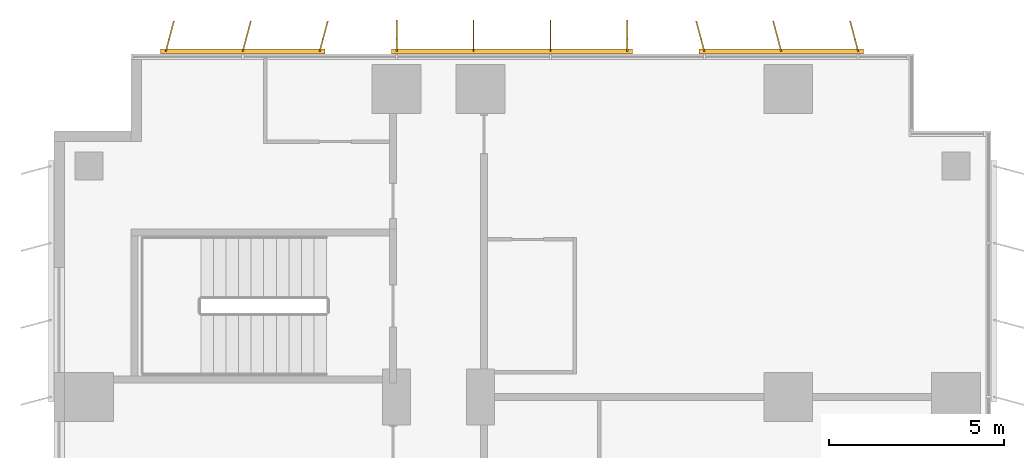
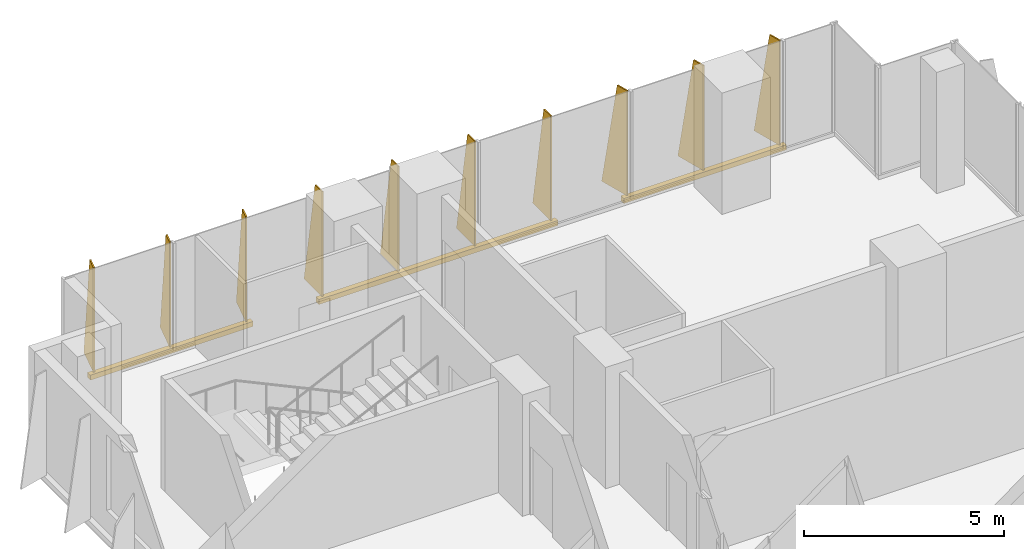
# One storey, part 24 of 24: 3 shading devices.
"""IFC4 building model written with IfcOpenShell, lengths in metres."""

from ifc_helpers import new_model, si_unit, direction, frame, origin, origin_2d, place, context, subcontext, project, spatial, polyline, rectangle, outline, extrude, source, transform, mapped, material, layer, layer_set, type_object, element, save


model = new_model("IFC4")

# Units and contexts
model_context = context("Model", 3, precision=1e-05, world=origin(), true_north=direction((0.0, 1.0)))
body_context = subcontext(model_context, "Body", "Model", "MODEL_VIEW")
ifc_project = project(units=[si_unit("LENGTHUNIT", "METRE"), si_unit("AREAUNIT", "SQUARE_METRE"), si_unit("VOLUMEUNIT", "CUBIC_METRE"), si_unit("PLANEANGLEUNIT", "RADIAN"), si_unit("MASSUNIT", "GRAM", prefix="KILO")], contexts=[model_context])

# Site, building, storey
site_placement = place(None, origin())
site = spatial("IfcSite", under=ifc_project, at=site_placement, CompositionType="ELEMENT")
building_placement = place(site_placement, origin())
building = spatial("IfcBuilding", under=site, at=building_placement, Name="Kemantara Hotel Tower", CompositionType="ELEMENT")
storey_placement = place(building_placement, frame((0.0, 0.0, 56.199951171875)))
storey = spatial("IfcBuildingStorey", under=building, at=storey_placement, Name="L12", CompositionType="ELEMENT", Elevation=56.199951171875)

# Shading devices
ifc_material = material(Name="Perforated aluminium plate 4 mm bronze anodised", Category="aluminium")
ifc_layer_1 = layer(ifc_material, 0.0400390625)
ifc_layer_set_1 = layer_set([ifc_layer_1], Name="Perforated aluminium plate 4 mm bronze anodised")
shading_device_type_1 = type_object("IfcShadingDeviceType", Name="SCREEN FIN CASSETTE, 3 BLADES AT -15.0 DEG, 3200 HIGH", PredefinedType="USERDEFINED", material=ifc_layer_set_1)
shared_shape_1 = source(origin(), body_context, "Body", "SweptSolid", [
    extrude(rectangle(XDim=4.699951171875, YDim=0.14990234375, at=origin_2d()), frame((2.199951171875, -0.074951171875, -0.14990234375), z_axis=(0.0, 0.0, 1.0), x_axis=(1.0, 0.0, 0.0)), (0.0, 0.0, 1.0), 0.14990234375),
    extrude(outline(polyline([(0.0, 0.0), (0.89990234375, 0.0), (0.35009765625, 3.199951171875), (0.0, 3.199951171875), (0.0, 0.0)])), frame((0.019287109375, -0.080078125, 0.0), z_axis=(-0.966437683387, 0.256901156343, 0.0), x_axis=(-0.256901156343, -0.966437683387, 0.0)), (0.0, 0.0, 1.0), 0.039794921875),
    extrude(outline(polyline([(0.0, 0.0), (0.89990234375, 0.0), (0.35009765625, 3.199951171875), (0.0, 3.199951171875), (0.0, 0.0)])), frame((2.21923828125, -0.080078125, 0.0), z_axis=(-0.966437683387, 0.256901156343, 0.0), x_axis=(-0.256901156343, -0.966437683387, 0.0)), (0.0, 0.0, 1.0), 0.039794921875),
    extrude(outline(polyline([(0.0, 0.0), (0.89990234375, 0.0), (0.35009765625, 3.199951171875), (0.0, 3.199951171875), (0.0, 0.0)])), frame((4.41943359375, -0.080078125, 0.0), z_axis=(-0.966837822169, 0.255391122837, 0.0), x_axis=(-0.255391122837, -0.966837822169, 0.0)), (0.0, 0.0, 1.0), 0.0400390625),
])
shading_device_1_placement = place(storey_placement, frame((7.60009765625, 81.199951171875, 0.10009765625), z_axis=(0.0, 0.0, 1.0), x_axis=(-1.0, 0.0, 0.0)))
element("IfcShadingDevice", 1, at=shading_device_1_placement, inside=storey, type_object=shading_device_type_1, Name="SCREEN FIN CASSETTE L12 T1-R11-3", ObjectType="SCREEN FIN", PredefinedType="USERDEFINED", context=body_context, shape_type="MappedRepresentation", body=[
    mapped(shared_shape_1, transform((0.0, 0.0, 0.0))),
])
ifc_layer_2 = layer(ifc_material, 0.0400390625)
ifc_layer_set_2 = layer_set([ifc_layer_2], Name="Perforated aluminium plate 4 mm bronze anodised")
shading_device_type_2 = type_object("IfcShadingDeviceType", Name="SCREEN FIN CASSETTE, 4 BLADES AT +0.0 DEG, 3200 HIGH", PredefinedType="USERDEFINED", material=ifc_layer_set_2)
shared_shape_2 = source(origin(), body_context, "Body", "SweptSolid", [
    extrude(rectangle(XDim=6.89990234375, YDim=0.14990234375, at=origin_2d()), frame((3.300048828125, -0.074951171875, -0.14990234375), z_axis=(0.0, 0.0, 1.0), x_axis=(1.0, 0.0, 0.0)), (0.0, 0.0, 1.0), 0.14990234375),
    extrude(outline(polyline([(0.0, 0.0), (0.89990234375, 0.0), (0.35009765625, 3.199951171875), (0.0, 3.199951171875), (0.0, 0.0)])), frame((0.02001953125, -0.074951171875, 0.0), z_axis=(-1.0, 0.0, 0.0), x_axis=(0.0, -1.0, 0.0)), (0.0, 0.0, 1.0), 0.0400390625),
    extrude(outline(polyline([(0.0, 0.0), (0.89990234375, 0.0), (0.35009765625, 3.199951171875), (0.0, 3.199951171875), (0.0, 0.0)])), frame((2.219970703125, -0.074951171875, 0.0), z_axis=(-1.0, 0.0, 0.0), x_axis=(0.0, -1.0, 0.0)), (0.0, 0.0, 1.0), 0.0400390625),
    extrude(outline(polyline([(0.0, 0.0), (0.89990234375, 0.0), (0.35009765625, 3.199951171875), (0.0, 3.199951171875), (0.0, 0.0)])), frame((4.419921875, -0.074951171875, 0.0), z_axis=(-1.0, 0.0, 0.0), x_axis=(0.0, -1.0, 0.0)), (0.0, 0.0, 1.0), 0.0400390625),
    extrude(outline(polyline([(0.0, 0.0), (0.89990234375, 0.0), (0.35009765625, 3.199951171875), (0.0, 3.199951171875), (0.0, 0.0)])), frame((6.6201171875, -0.074951171875, 0.0), z_axis=(-1.0, 0.0, 0.0), x_axis=(0.0, -1.0, 0.0)), (0.0, 0.0, 1.0), 0.0400390625),
])
shading_device_2_placement = place(storey_placement, frame((16.39990234375, 81.199951171875, 0.10009765625), z_axis=(0.0, 0.0, 1.0), x_axis=(-1.0, 0.0, 0.0)))
element("IfcShadingDevice", 2, at=shading_device_2_placement, inside=storey, type_object=shading_device_type_2, Name="SCREEN FIN CASSETTE L12 T1-R11-2", ObjectType="SCREEN FIN", PredefinedType="USERDEFINED", context=body_context, shape_type="MappedRepresentation", body=[
    mapped(shared_shape_2, transform((0.0, 0.0, 0.0))),
])
ifc_layer_3 = layer(ifc_material, 0.0400390625)
ifc_layer_set_3 = layer_set([ifc_layer_3], Name="Perforated aluminium plate 4 mm bronze anodised")
shading_device_type_3 = type_object("IfcShadingDeviceType", Name="SCREEN FIN CASSETTE, 3 BLADES AT +15.0 DEG, 3200 HIGH", PredefinedType="USERDEFINED", material=ifc_layer_set_3)
shared_shape_3 = source(origin(), body_context, "Body", "SweptSolid", [
    extrude(rectangle(XDim=4.699951171875, YDim=0.14990234375, at=origin_2d()), frame((2.199951171875, -0.074951171875, -0.14990234375), z_axis=(0.0, 0.0, 1.0), x_axis=(1.0, 0.0, 0.0)), (0.0, 0.0, 1.0), 0.14990234375),
    extrude(outline(polyline([(0.0, 0.0), (0.89990234375, 0.0), (0.35009765625, 3.199951171875), (0.0, 3.199951171875), (0.0, 0.0)])), frame((0.019287109375, -0.06982421875, 0.0), z_axis=(-0.966437683387, -0.256901156343, 0.0), x_axis=(0.256901156343, -0.966437683387, 0.0)), (0.0, 0.0, 1.0), 0.039794921875),
    extrude(outline(polyline([(0.0, 0.0), (0.89990234375, 0.0), (0.35009765625, 3.199951171875), (0.0, 3.199951171875), (0.0, 0.0)])), frame((2.21923828125, -0.06982421875, 0.0), z_axis=(-0.966437683387, -0.256901156343, 0.0), x_axis=(0.256901156343, -0.966437683387, 0.0)), (0.0, 0.0, 1.0), 0.039794921875),
    extrude(outline(polyline([(0.0, 0.0), (0.89990234375, 0.0), (0.35009765625, 3.199951171875), (0.0, 3.199951171875), (0.0, 0.0)])), frame((4.41943359375, -0.06982421875, 0.0), z_axis=(-0.966837822169, -0.255391122837, 0.0), x_axis=(0.255391122837, -0.966837822169, 0.0)), (0.0, 0.0, 1.0), 0.0400390625),
])
shading_device_3_placement = place(storey_placement, frame((23.0, 81.199951171875, 0.10009765625), z_axis=(0.0, 0.0, 1.0), x_axis=(-1.0, 0.0, 0.0)))
element("IfcShadingDevice", 3, at=shading_device_3_placement, inside=storey, type_object=shading_device_type_3, Name="SCREEN FIN CASSETTE L12 T1-R11-1", ObjectType="SCREEN FIN", PredefinedType="USERDEFINED", context=body_context, shape_type="MappedRepresentation", body=[
    mapped(shared_shape_3, transform((0.0, 0.0, 0.0))),
])

save(model, "model.ifc")
